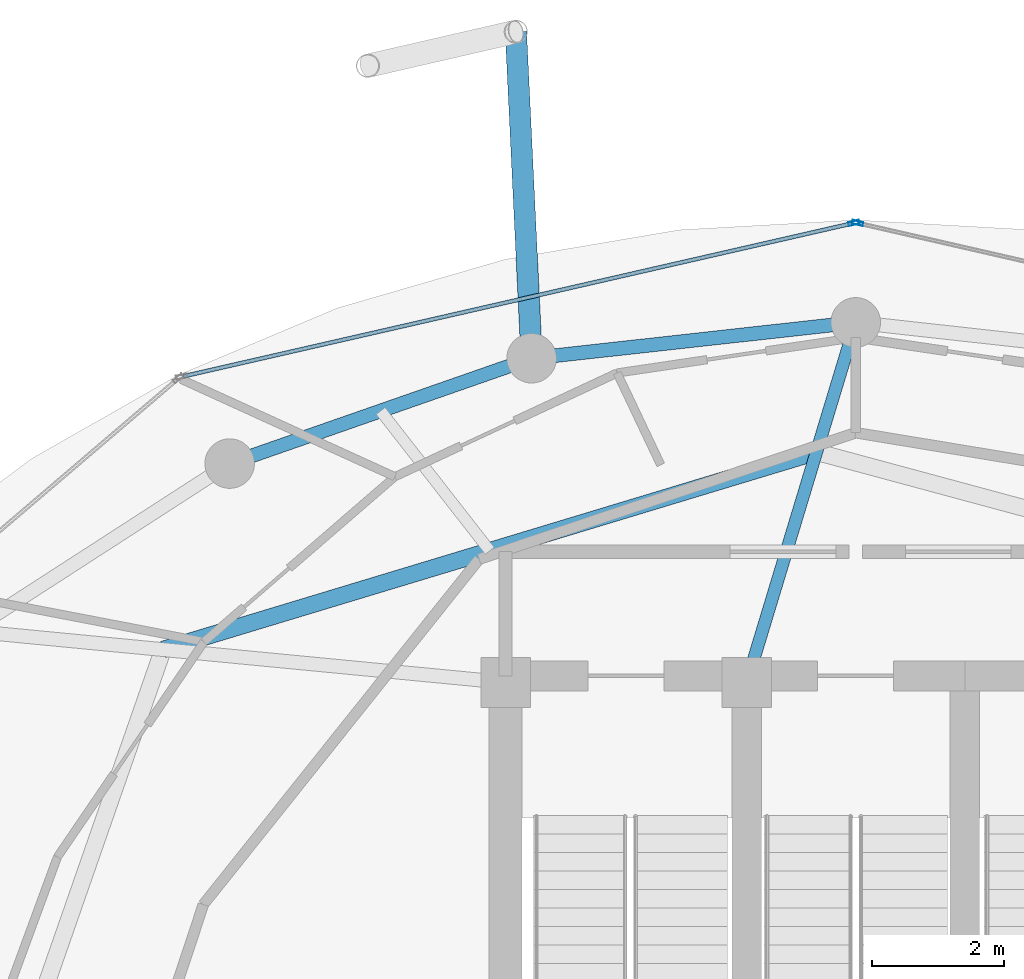
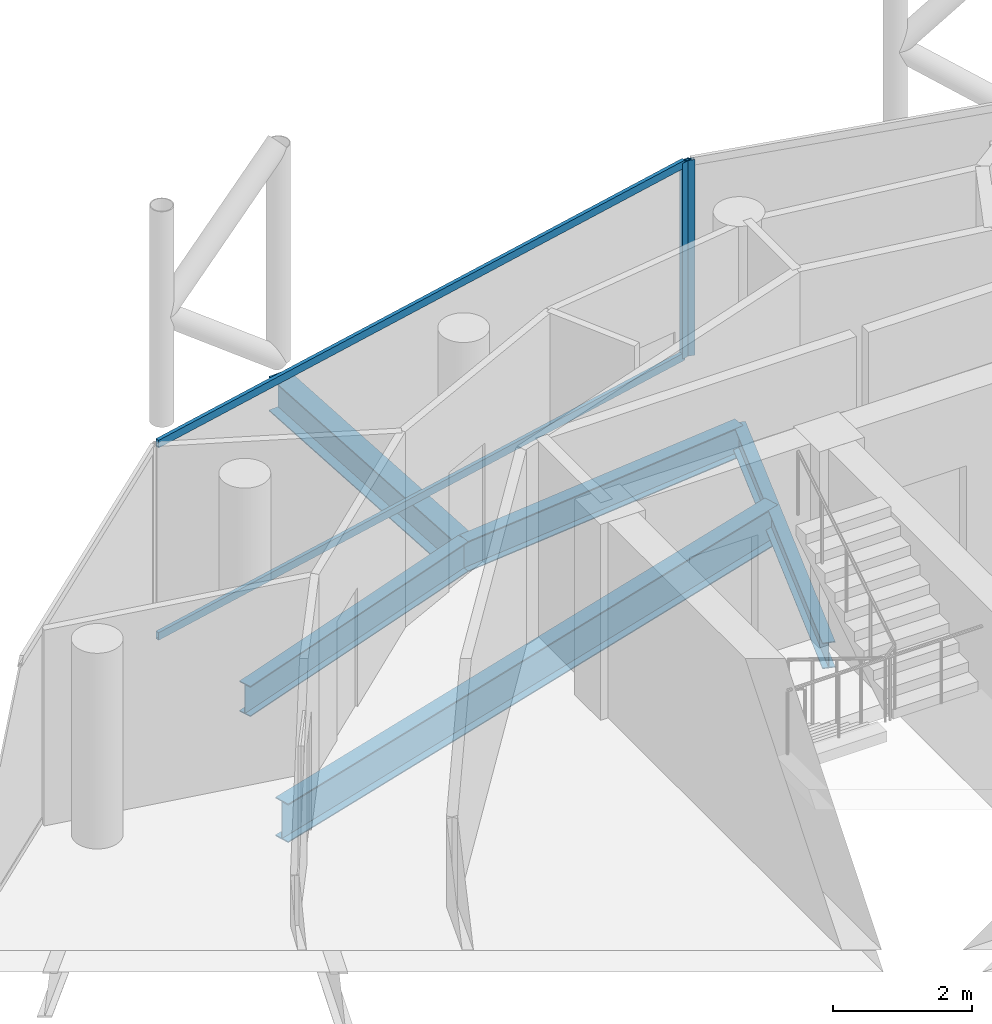
# One storey, part 16 of 24: 5 beams, 4 members, 2 elements without a shape of their own.
"""IFC4 building model written with IfcOpenShell, lengths in metres."""

from ifc_helpers import new_model, si_unit, direction, frame, origin, origin_2d, place, context, subcontext, project, spatial, hollow_rectangle, i_section, extrude, material, layer, layer_set, material_profile, profile_set, type_object, element, aggregate, save


model = new_model("IFC4")

# Units and contexts
model_context = context("Model", 3, precision=1e-05, world=origin(), true_north=direction((0.0, 1.0)))
body_context = subcontext(model_context, "Body", "Model", "MODEL_VIEW")
ifc_project = project(units=[si_unit("LENGTHUNIT", "METRE"), si_unit("AREAUNIT", "SQUARE_METRE"), si_unit("VOLUMEUNIT", "CUBIC_METRE"), si_unit("PLANEANGLEUNIT", "RADIAN"), si_unit("MASSUNIT", "GRAM", prefix="KILO")], contexts=[model_context])

# Site, building, storey
site_placement = place(None, origin())
site = spatial("IfcSite", under=ifc_project, at=site_placement, CompositionType="ELEMENT")
building_placement = place(site_placement, origin())
building = spatial("IfcBuilding", under=site, at=building_placement, Name="Nuhasar Tower", CompositionType="ELEMENT")
storey_placement = place(building_placement, frame((0.0, 0.0, 297.39990234375)))
storey = spatial("IfcBuildingStorey", under=building, at=storey_placement, Name="L74", CompositionType="ELEMENT", Elevation=297.39990234375)

# Beams
ifc_material_1 = material(Name="Steel S355", Category="steel")
ifc_material_profile_1 = material_profile(ifc_material_1, i_section(OverallWidth=0.25390625, OverallDepth=0.68408203125, WebThickness=0.012451171875, FlangeThickness=0.018798828125, at=origin_2d()), Name="W27X94")
ifc_profile_set_1 = profile_set([ifc_material_profile_1], Name="Steel S355")
beam_type_1 = type_object("IfcBeamType", Name="BM-INRING-W27X94", PredefinedType="BEAM", material=ifc_profile_set_1)
beam_1_placement = place(storey_placement, frame((38.406005859375, 40.7880859375, -0.601806640625), z_axis=(-0.957210818407, -0.289391515294, 0.0), x_axis=(0.289391515294, -0.957210818407, 0.0)))
element("IfcBeam", 1, at=beam_1_placement, inside=storey, type_object=beam_type_1, Name="L74 Inner Header Beam 06", PredefinedType="BEAM", context=body_context, shape_type="SweptSolid", body=[
    extrude(i_section(OverallWidth=0.25390625, OverallDepth=0.68408203125, WebThickness=0.012451171875, FlangeThickness=0.018798828125, at=origin_2d()), origin(), (0.0, 0.0, 1.0), 10.33203125),
])
ifc_material_profile_2 = material_profile(ifc_material_1, i_section(OverallWidth=0.18994140625, OverallDepth=0.45703125, WebThickness=0.009033203125, FlangeThickness=0.014404296875, at=origin_2d()), Name="W18X50")
ifc_profile_set_2 = profile_set([ifc_material_profile_2], Name="Steel S355")
beam_type_2 = type_object("IfcBeamType", Name="BM-RAD-W18X50", PredefinedType="BEAM", material=ifc_profile_set_2)
beam_2_placement = place(storey_placement, frame((37.35009765625, 37.300048828125, -0.489013671875), z_axis=(0.289750350206, 0.957102259195, 0.0), x_axis=(-0.957102259195, 0.289750350206, 0.0)))
element("IfcBeam", 2, at=beam_2_placement, inside=storey, type_object=beam_type_2, Name="L74 Radial Floor Girder 06", PredefinedType="BEAM", context=body_context, shape_type="SweptSolid", body=[
    extrude(i_section(OverallWidth=0.18994140625, OverallDepth=0.45703125, WebThickness=0.009033203125, FlangeThickness=0.014404296875, at=origin_2d()), origin(), (0.0, 0.0, 1.0), 5.6943359375),
])
ifc_material_profile_3 = material_profile(ifc_material_1, i_section(OverallWidth=0.2099609375, OverallDepth=0.537109375, WebThickness=0.010986328125, FlangeThickness=0.017333984375, at=origin_2d()), Name="W21X68")
ifc_profile_set_3 = profile_set([ifc_material_profile_3], Name="Steel S355")
beam_type_3 = type_object("IfcBeamType", Name="BM-RING-W21X68", PredefinedType="SPANDREL", material=ifc_profile_set_3)
beam_3_placement = place(storey_placement, frame((39.0, 42.75, -0.52880859375), z_axis=(-0.99392889943, -0.110024283128, 0.0), x_axis=(0.110024283128, -0.99392889943, 0.0)))
element("IfcBeam", 3, at=beam_3_placement, inside=storey, type_object=beam_type_3, Name="L74 Perimeter Ring Spandrel 07", PredefinedType="SPANDREL", context=body_context, shape_type="SweptSolid", body=[
    extrude(i_section(OverallWidth=0.2099609375, OverallDepth=0.537109375, WebThickness=0.010986328125, FlangeThickness=0.017333984375, at=origin_2d()), origin(), (0.0, 0.0, 1.0), 4.93505859375),
])
beam_4_placement = place(storey_placement, frame((34.094970703125, 42.20703125, -0.52880859375), z_axis=(-0.944214043504, -0.329332415729, 0.0), x_axis=(0.329332415729, -0.944214043504, 0.0)))
element("IfcBeam", 4, at=beam_4_placement, inside=storey, type_object=beam_type_3, Name="L74 Perimeter Ring Spandrel 08", PredefinedType="SPANDREL", context=body_context, shape_type="SweptSolid", body=[
    extrude(i_section(OverallWidth=0.2099609375, OverallDepth=0.537109375, WebThickness=0.010986328125, FlangeThickness=0.017333984375, at=origin_2d()), origin(), (0.0, 0.0, 1.0), 4.840087890625),
])
ifc_material_profile_4 = material_profile(ifc_material_1, i_section(OverallWidth=0.323974609375, OverallDepth=0.611083984375, WebThickness=0.0126953125, FlangeThickness=0.01904296875, at=origin_2d()), Name="W24X104")
ifc_profile_set_4 = profile_set([ifc_material_profile_4], Name="Steel S355")
beam_type_4 = type_object("IfcBeamType", Name="BM-TIE-W24X104", PredefinedType="BEAM", material=ifc_profile_set_4)
beam_5_placement = place(storey_placement, frame((34.094970703125, 42.20703125, -0.56591796875), z_axis=(-0.048111398417, 0.998841976162, 0.0), x_axis=(-0.998841976162, -0.048111398417, 0.0)))
element("IfcBeam", 5, at=beam_5_placement, inside=storey, type_object=beam_type_4, Name="L74 Exoskeleton Node Tie Beam 04", PredefinedType="BEAM", context=body_context, shape_type="SweptSolid", body=[
    extrude(i_section(OverallWidth=0.323974609375, OverallDepth=0.611083984375, WebThickness=0.0126953125, FlangeThickness=0.01904296875, at=origin_2d()), origin(), (0.0, 0.0, 1.0), 4.947509765625),
])

# Curtain wall, member
ifc_material_2 = material(Name="Aluminium 6063-T6", Category="aluminium")
ifc_layer = layer(ifc_material_2, 0.18994140625)
ifc_layer_set = layer_set([ifc_layer], Name="Aluminium 6063-T6")
curtain_wall_type = type_object("IfcCurtainWallType", Name="CW-Z4-PEN", PredefinedType="NOTDEFINED", material=ifc_layer_set)
curtain_wall_1_placement = place(storey_placement, origin())
curtain_wall_1 = element("IfcCurtainWall", 6, at=curtain_wall_1_placement, inside=storey, type_object=curtain_wall_type, Name="L74 Unitised Curtain Wall 03", PredefinedType="NOTDEFINED")
ifc_material_profile_5 = material_profile(ifc_material_2, hollow_rectangle(XDim=0.06005859375, YDim=0.1650390625, WallThickness=0.0048828125, at=origin_2d()), Name="CWM-5")
ifc_profile_set_5 = profile_set([ifc_material_profile_5], Name="Aluminium 6063-T6")
member_type_1 = type_object("IfcMemberType", Name="CW-MUL-S5", PredefinedType="MULLION", material=ifc_profile_set_5)
member_1_placement = place(storey_placement, frame((39.029296875, 44.25341796875, 0.0), z_axis=(0.0, 0.0, 1.0), x_axis=(-0.222889487645, -0.97484371891, 0.0)))
member_1 = element("IfcMember", 7, at=member_1_placement, type_object=member_type_1, Name="CW-Z4 mullion 2", PredefinedType="MULLION", context=body_context, shape_type="SweptSolid", body=[
    extrude(hollow_rectangle(XDim=0.06005859375, YDim=0.1650390625, WallThickness=0.0048828125, at=origin_2d()), origin(), (0.0, 0.0, 1.0), 3.4501953125),
])
aggregate(curtain_wall_1, [member_1])

# Curtain wall, members
curtain_wall_2_placement = place(storey_placement, origin())
curtain_wall_2 = element("IfcCurtainWall", 8, at=curtain_wall_2_placement, inside=storey, type_object=curtain_wall_type, Name="L74 Unitised Curtain Wall 04", PredefinedType="NOTDEFINED")
member_2_placement = place(storey_placement, frame((38.970703125, 44.25341796875, 0.0), z_axis=(0.0, 0.0, 1.0), x_axis=(0.222889487645, -0.97484371891, 0.0)))
member_2 = element("IfcMember", 9, at=member_2_placement, type_object=member_type_1, Name="CW-Z4 mullion 1", PredefinedType="MULLION", context=body_context, shape_type="SweptSolid", body=[
    extrude(hollow_rectangle(XDim=0.06005859375, YDim=0.1650390625, WallThickness=0.0048828125, at=origin_2d()), origin(), (0.0, 0.0, 1.0), 3.4501953125),
])
ifc_material_profile_6 = material_profile(ifc_material_2, hollow_rectangle(XDim=0.06005859375, YDim=0.135009765625, WallThickness=0.00439453125, at=origin_2d()), Name="CWT-5")
ifc_profile_set_6 = profile_set([ifc_material_profile_6], Name="Aluminium 6063-T6")
member_type_2 = type_object("IfcMemberType", Name="CW-TRN-S5", PredefinedType="USERDEFINED", material=ifc_profile_set_6)
member_3_placement = place(storey_placement, frame((38.94140625, 44.24658203125, 0.030029296875), z_axis=(-0.974843752401, -0.222889341163, 0.0), x_axis=(0.222889341163, -0.974843752401, 0.0)))
member_3 = element("IfcMember", 10, at=member_3_placement, type_object=member_type_2, Name="CW-Z4 transom 1.1", ObjectType="TRANSOM", PredefinedType="USERDEFINED", context=body_context, shape_type="SweptSolid", body=[
    extrude(hollow_rectangle(XDim=0.06005859375, YDim=0.135009765625, WallThickness=0.00439453125, at=origin_2d()), origin(), (0.0, 0.0, 1.0), 10.3740234375),
])
member_4_placement = place(storey_placement, frame((38.94140625, 44.24658203125, 3.420166015625), z_axis=(-0.974843752401, -0.222889341163, 0.0), x_axis=(0.222889341163, -0.974843752401, 0.0)))
member_4 = element("IfcMember", 11, at=member_4_placement, type_object=member_type_2, Name="CW-Z4 transom 1.2", ObjectType="TRANSOM", PredefinedType="USERDEFINED", context=body_context, shape_type="SweptSolid", body=[
    extrude(hollow_rectangle(XDim=0.06005859375, YDim=0.135009765625, WallThickness=0.00439453125, at=origin_2d()), origin(), (0.0, 0.0, 1.0), 10.3740234375),
])
aggregate(curtain_wall_2, [member_2, member_3, member_4])

save(model, "model.ifc")
